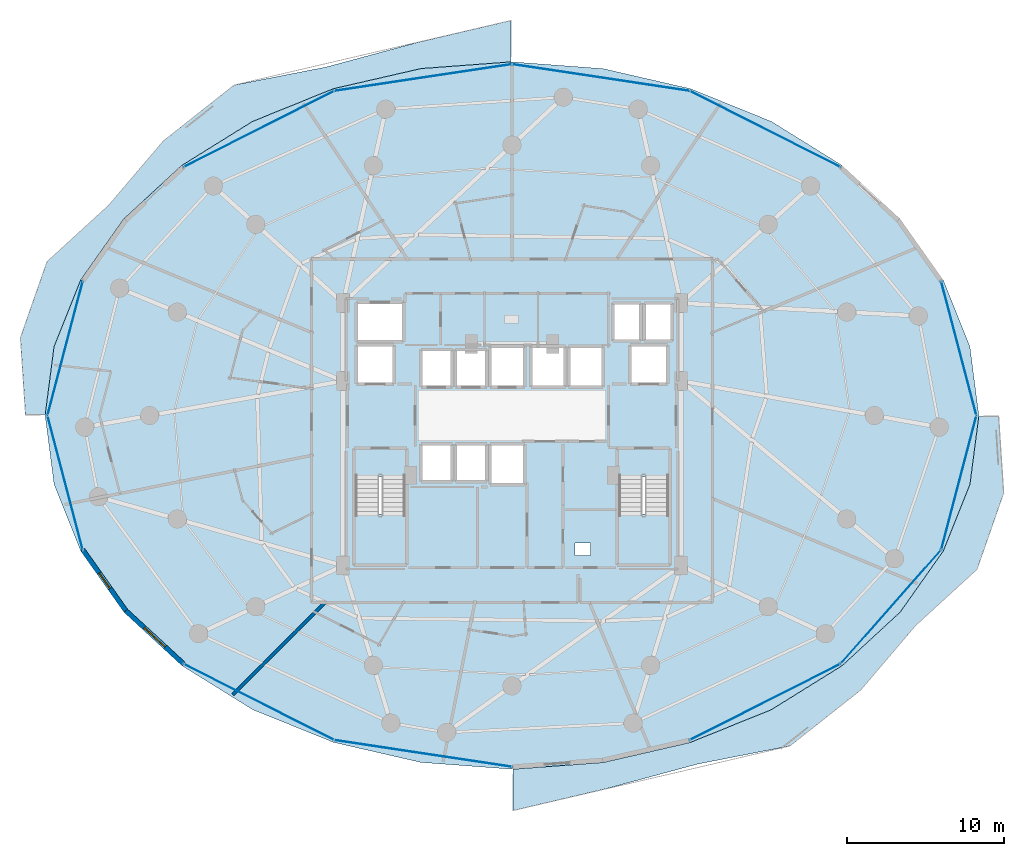
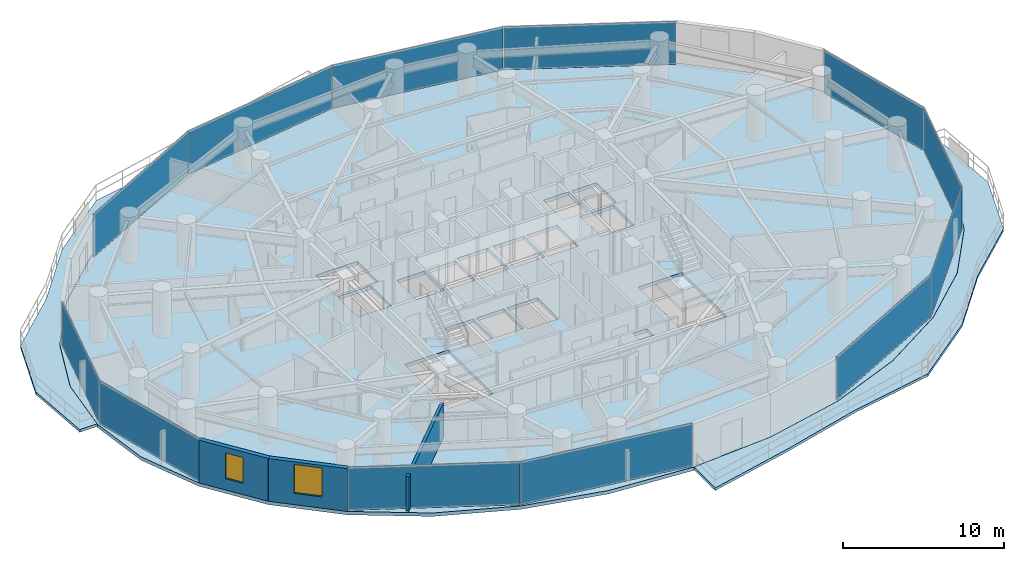
# One storey, part 26 of 35: 12 plates, 5 slabs, 3 walls, 2 windows, 2 openings, 6 elements without a shape of their own.
"""IFC4 building model written with IfcOpenShell, lengths in metres."""

from ifc_helpers import new_model, si_unit, direction, frame, frame_2d, origin, origin_2d, place, context, subcontext, project, spatial, polyline, rectangle, outline, extrude, material, layer, layer_set, type_object, element, fill, aggregate, save


model = new_model("IFC4")

# Units and contexts
model_context = context("Model", 3, precision=1e-05, world=origin(), true_north=direction((0.0, 1.0)))
body_context = subcontext(model_context, "Body", "Model", "MODEL_VIEW")
ifc_project = project(units=[si_unit("LENGTHUNIT", "METRE"), si_unit("AREAUNIT", "SQUARE_METRE"), si_unit("VOLUMEUNIT", "CUBIC_METRE"), si_unit("PLANEANGLEUNIT", "RADIAN"), si_unit("MASSUNIT", "GRAM", prefix="KILO")], contexts=[model_context])

# Site, building, storey
site_placement = place(None, origin())
site = spatial("IfcSite", under=ifc_project, at=site_placement, CompositionType="ELEMENT")
building_placement = place(site_placement, origin())
building = spatial("IfcBuilding", under=site, at=building_placement, Name="Vorneva Point Tower", CompositionType="ELEMENT")
storey_placement = place(building_placement, frame((0.0, 0.0, 48.5)))
storey = spatial("IfcBuildingStorey", under=building, at=storey_placement, Name="L12", CompositionType="ELEMENT", Elevation=48.5)

# Curtain wall, plates
ifc_material_1 = material(Name="Pale anodised aluminium", Category="aluminium")
curtain_wall_type = type_object("IfcCurtainWallType", Name="CW-HTL-SYS", PredefinedType="NOTDEFINED", material=ifc_material_1)
curtain_wall_1_placement = place(storey_placement, origin())
curtain_wall_1 = element("IfcCurtainWall", 1, at=curtain_wall_1_placement, inside=storey, type_object=curtain_wall_type, Name="L12 Unitised Curtain Wall CW-L12-R01", PredefinedType="NOTDEFINED")
ifc_material_2 = material(Name="Double low-e laminated glass IGU", Category="glass")
ifc_layer_1 = layer(ifc_material_2, 0.035888671875)
ifc_layer_set_1 = layer_set([ifc_layer_1], Name="Double low-e laminated glass IGU")
plate_type = type_object("IfcPlateType", Name="CW-PNL-VIS", PredefinedType="CURTAIN_PANEL", material=ifc_layer_set_1)
plate_1_placement = place(storey_placement, frame((54.101806640625, 7.773681640625, -0.02001953125), z_axis=(0.0, 0.0, 1.0), x_axis=(0.892499239729, 0.451048896554, 0.0)))
plate_1 = element("IfcPlate", 2, at=plate_1_placement, type_object=plate_type, Name="CW-L12-R01 Glazed Panel 01", PredefinedType="CURTAIN_PANEL", context=body_context, shape_type="SweptSolid", body=[
    extrude(rectangle(XDim=10.69140625, YDim=0.035888671875, at=origin_2d()), origin(), (0.0, 0.0, 1.0), 3.280029296875),
])
plate_2_placement = place(storey_placement, frame((62.097900390625, 13.821533203125, -0.02001953125), z_axis=(0.0, 0.0, 1.0), x_axis=(0.662070857019, 0.749441245386, 0.0)))
plate_2 = element("IfcPlate", 3, at=plate_2_placement, type_object=plate_type, Name="CW-L12-R01 Glazed Panel 02", PredefinedType="CURTAIN_PANEL", context=body_context, shape_type="SweptSolid", body=[
    extrude(rectangle(XDim=9.625, YDim=0.035888671875, at=origin_2d()), origin(), (0.0, 0.0, 1.0), 3.280029296875),
])
plate_3_placement = place(storey_placement, frame((66.42529296875, 21.723388671875, -0.02001953125), z_axis=(0.0, 0.0, 1.0), x_axis=(0.254348767449, 0.967112560407, 0.0)))
plate_3 = element("IfcPlate", 4, at=plate_3_placement, type_object=plate_type, Name="CW-L12-R01 Glazed Panel 03", PredefinedType="CURTAIN_PANEL", context=body_context, shape_type="SweptSolid", body=[
    extrude(rectangle(XDim=8.793701171875, YDim=0.035888671875, at=origin_2d()), origin(), (0.0, 0.0, 1.0), 3.280029296875),
])
plate_4_placement = place(storey_placement, frame((66.42529296875, 30.276611328125, -0.02001953125), z_axis=(0.0, 0.0, 1.0), x_axis=(-0.254348767449, 0.967112560407, 0.0)))
plate_4 = element("IfcPlate", 5, at=plate_4_placement, type_object=plate_type, Name="CW-L12-R01 Glazed Panel 04", PredefinedType="CURTAIN_PANEL", context=body_context, shape_type="SweptSolid", body=[
    extrude(rectangle(XDim=8.793701171875, YDim=0.035888671875, at=origin_2d()), origin(), (0.0, 0.0, 1.0), 3.280029296875),
])
aggregate(curtain_wall_1, [plate_1, plate_2, plate_3, plate_4])

curtain_wall_2_placement = place(storey_placement, origin())
curtain_wall_2 = element("IfcCurtainWall", 6, at=curtain_wall_2_placement, inside=storey, type_object=curtain_wall_type, Name="L12 Unitised Curtain Wall CW-L12-R02", PredefinedType="NOTDEFINED")
plate_5_placement = place(storey_placement, frame((54.101806640625, 44.226318359375, -0.02001953125), z_axis=(0.0, 0.0, 1.0), x_axis=(-0.892499239729, 0.451048896554, 0.0)))
plate_5 = element("IfcPlate", 7, at=plate_5_placement, type_object=plate_type, Name="CW-L12-R02 Glazed Panel 01", PredefinedType="CURTAIN_PANEL", context=body_context, shape_type="SweptSolid", body=[
    extrude(rectangle(XDim=10.69140625, YDim=0.035888671875, at=origin_2d()), origin(), (0.0, 0.0, 1.0), 3.280029296875),
])
plate_6_placement = place(storey_placement, frame((43.654296875, 47.499267578125, -0.02001953125), z_axis=(0.0, 0.0, 1.0), x_axis=(-0.988870924381, 0.148775989034, 0.0)))
plate_6 = element("IfcPlate", 8, at=plate_6_placement, type_object=plate_type, Name="CW-L12-R02 Glazed Panel 02", PredefinedType="CURTAIN_PANEL", context=body_context, shape_type="SweptSolid", body=[
    extrude(rectangle(XDim=11.385498046875, YDim=0.035888671875, at=origin_2d()), origin(), (0.0, 0.0, 1.0), 3.280029296875),
])
plate_7_placement = place(storey_placement, frame((32.345703125, 47.499267578125, -0.02001953125), z_axis=(0.0, 0.0, 1.0), x_axis=(-0.988870924381, -0.148775989034, 0.0)))
plate_7 = element("IfcPlate", 9, at=plate_7_placement, type_object=plate_type, Name="CW-L12-R02 Glazed Panel 03", PredefinedType="CURTAIN_PANEL", context=body_context, shape_type="SweptSolid", body=[
    extrude(rectangle(XDim=11.385498046875, YDim=0.035888671875, at=origin_2d()), origin(), (0.0, 0.0, 1.0), 3.280029296875),
])
plate_8_placement = place(storey_placement, frame((21.8984375, 44.226318359375, -0.02001953125), z_axis=(0.0, 0.0, 1.0), x_axis=(-0.892499239729, -0.451048896554, 0.0)))
plate_8 = element("IfcPlate", 10, at=plate_8_placement, type_object=plate_type, Name="CW-L12-R02 Glazed Panel 04", PredefinedType="CURTAIN_PANEL", context=body_context, shape_type="SweptSolid", body=[
    extrude(rectangle(XDim=10.69140625, YDim=0.035888671875, at=origin_2d()), origin(), (0.0, 0.0, 1.0), 3.280029296875),
])
aggregate(curtain_wall_2, [plate_5, plate_6, plate_7, plate_8])

curtain_wall_3_placement = place(storey_placement, origin())
curtain_wall_3 = element("IfcCurtainWall", 11, at=curtain_wall_3_placement, inside=storey, type_object=curtain_wall_type, Name="L12 Unitised Curtain Wall CW-L12-R03", PredefinedType="NOTDEFINED")
plate_9_placement = place(storey_placement, frame((9.57470703125, 30.276611328125, -0.02001953125), z_axis=(0.0, 0.0, 1.0), x_axis=(-0.254348767449, -0.967112560407, 0.0)))
plate_9 = element("IfcPlate", 12, at=plate_9_placement, type_object=plate_type, Name="CW-L12-R03 Glazed Panel 01", PredefinedType="CURTAIN_PANEL", context=body_context, shape_type="SweptSolid", body=[
    extrude(rectangle(XDim=8.793701171875, YDim=0.035888671875, at=origin_2d()), origin(), (0.0, 0.0, 1.0), 3.280029296875),
])
plate_10_placement = place(storey_placement, frame((9.57470703125, 21.723388671875, -0.02001953125), z_axis=(0.0, 0.0, 1.0), x_axis=(0.254348767449, -0.967112560407, 0.0)))
plate_10 = element("IfcPlate", 13, at=plate_10_placement, type_object=plate_type, Name="CW-L12-R03 Glazed Panel 02", PredefinedType="CURTAIN_PANEL", context=body_context, shape_type="SweptSolid", body=[
    extrude(rectangle(XDim=8.793701171875, YDim=0.035888671875, at=origin_2d()), origin(), (0.0, 0.0, 1.0), 3.280029296875),
])
aggregate(curtain_wall_3, [plate_9, plate_10])

curtain_wall_4_placement = place(storey_placement, origin())
curtain_wall_4 = element("IfcCurtainWall", 14, at=curtain_wall_4_placement, inside=storey, type_object=curtain_wall_type, Name="L12 Unitised Curtain Wall CW-L12-R04", PredefinedType="NOTDEFINED")
plate_11_placement = place(storey_placement, frame((21.8984375, 7.773681640625, -0.02001953125), z_axis=(0.0, 0.0, 1.0), x_axis=(0.892499239729, -0.451048896554, 0.0)))
plate_11 = element("IfcPlate", 15, at=plate_11_placement, type_object=plate_type, Name="CW-L12-R04 Glazed Panel 01", PredefinedType="CURTAIN_PANEL", context=body_context, shape_type="SweptSolid", body=[
    extrude(rectangle(XDim=10.69140625, YDim=0.035888671875, at=origin_2d()), origin(), (0.0, 0.0, 1.0), 3.280029296875),
])
plate_12_placement = place(storey_placement, frame((32.345703125, 4.500732421875, -0.02001953125), z_axis=(0.0, 0.0, 1.0), x_axis=(0.988870924381, -0.148775989034, 0.0)))
plate_12 = element("IfcPlate", 16, at=plate_12_placement, type_object=plate_type, Name="CW-L12-R04 Glazed Panel 02", PredefinedType="CURTAIN_PANEL", context=body_context, shape_type="SweptSolid", body=[
    extrude(rectangle(XDim=11.385498046875, YDim=0.035888671875, at=origin_2d()), origin(), (0.0, 0.0, 1.0), 3.280029296875),
])
aggregate(curtain_wall_4, [plate_11, plate_12])

# Slabs
ifc_material_3 = material(Name="Concrete B50 (C40/50)", Category="concrete")
ifc_layer_2 = layer(ifc_material_3, 0.199951171875)
ifc_layer_set_2 = layer_set([ifc_layer_2], Name="Concrete B50 (C40/50)")
slab_type_1 = type_object("IfcSlabType", Name="SLB-BAL-200", PredefinedType="FLOOR", material=ifc_layer_set_2)
slab_1_placement = place(storey_placement, frame((0.0, 0.0, -0.199951171875)))
element("IfcSlab", 17, at=slab_1_placement, inside=storey, type_object=slab_type_1, Name="L12 Cantilevered Wave Balcony NW", PredefinedType="FLOOR", context=body_context, shape_type="SweptSolid", body=[
    extrude(outline(polyline([(7.046630859375, 26.050048828125), (8.302490234375, 26.050048828125), (8.86669921875, 30.389892578125), (8.86669921875, 30.390380859375), (8.866943359375, 30.390625), (8.866943359375, 30.39111328125), (10.55712890625, 34.61181640625), (10.557373046875, 34.6123046875), (10.5576171875, 34.61279296875), (13.302001953125, 38.502685546875), (13.302490234375, 38.5029296875), (13.302734375, 38.503173828125), (16.99609375, 41.912841796875), (16.99658203125, 41.9130859375), (16.996826171875, 41.913330078125), (21.49755859375, 44.71142578125), (21.497802734375, 44.711669921875), (21.498046875, 44.7119140625), (26.6328125, 46.791015625), (26.633056640625, 46.791015625), (26.63330078125, 46.791259765625), (32.204833984375, 48.071533203125), (32.205078125, 48.07177734375), (32.20556640625, 48.07177734375), (37.949951171875, 48.500244140625), (37.949951171875, 51.13818359375), (31.955078125, 49.73095703125), (26.19873046875, 48.175537109375), (20.326904296875, 47.02490234375), (15.8212890625, 43.464111328125), (12.327880859375, 39.3623046875), (8.41552734375, 35.783203125), (6.7255859375, 30.952880859375), (7.046630859375, 26.050048828125)])), origin(), (0.0, 0.0, 1.0), 0.199951171875),
])
slab_2_placement = place(storey_placement, frame((0.0, 0.0, -0.199951171875)))
element("IfcSlab", 18, at=slab_2_placement, inside=storey, type_object=slab_type_1, Name="L12 Cantilevered Wave Balcony SE", PredefinedType="FLOOR", context=body_context, shape_type="SweptSolid", body=[
    extrude(outline(polyline([(69.2744140625, 21.047119140625), (68.953369140625, 25.949951171875), (67.697509765625, 25.949951171875), (67.13330078125, 21.610107421875), (67.13330078125, 21.609619140625), (67.133056640625, 21.609375), (67.133056640625, 21.60888671875), (65.44287109375, 17.38818359375), (65.442626953125, 17.3876953125), (65.4423828125, 17.38720703125), (62.697998046875, 13.497314453125), (62.697509765625, 13.4970703125), (62.697265625, 13.496826171875), (59.00390625, 10.087158203125), (59.00341796875, 10.0869140625), (59.003173828125, 10.086669921875), (54.50244140625, 7.28857421875), (54.502197265625, 7.288330078125), (54.501953125, 7.2880859375), (49.3671875, 5.208984375), (49.366943359375, 5.208984375), (49.36669921875, 5.208740234375), (43.795166015625, 3.928466796875), (43.794921875, 3.92822265625), (43.79443359375, 3.92822265625), (38.050048828125, 3.499755859375), (38.050048828125, 0.86181640625), (44.044921875, 2.26904296875), (49.80126953125, 3.824462890625), (55.673095703125, 4.97509765625), (60.1787109375, 8.535888671875), (63.672119140625, 12.6376953125), (67.58447265625, 16.216796875), (69.2744140625, 21.047119140625)])), origin(), (0.0, 0.0, 1.0), 0.199951171875),
])

# Stair, slab
stair_type = type_object("IfcStairType", Name="ST-DOG-1500", PredefinedType="HALF_TURN_STAIR", material=ifc_material_3)
stair_1_placement = place(storey_placement, origin())
stair_1 = element("IfcStair", 19, at=stair_1_placement, inside=storey, type_object=stair_type, Name="L12 ST1", PredefinedType="HALF_TURN_STAIR")
ifc_layer_3 = layer(ifc_material_3, 0.199951171875)
ifc_layer_set_3 = layer_set([ifc_layer_3], Name="Concrete B50 (C40/50)")
slab_type_2 = type_object("IfcSlabType", Name="SLB-LND-200", PredefinedType="LANDING", material=ifc_layer_set_3)
slab_3_placement = place(storey_placement, frame((0.0, 0.0, 1.550048828125)))
slab_3 = element("IfcSlab", 20, at=slab_3_placement, type_object=slab_type_2, Name="ST1 landing 1", PredefinedType="LANDING", context=body_context, shape_type="SweptSolid", body=[
    extrude(outline(polyline([(27.929931640625, 16.47998046875), (31.320068359375, 16.47998046875), (31.320068359375, 19.72998046875), (27.929931640625, 19.72998046875), (27.929931640625, 16.47998046875)])), origin(), (0.0, 0.0, 1.0), 0.199951171875),
])
aggregate(stair_1, [slab_3])

stair_2_placement = place(storey_placement, origin())
stair_2 = element("IfcStair", 21, at=stair_2_placement, inside=storey, type_object=stair_type, Name="L12 ST2", PredefinedType="HALF_TURN_STAIR")
slab_4_placement = place(storey_placement, frame((0.0, 0.0, 1.550048828125)))
slab_4 = element("IfcSlab", 22, at=slab_4_placement, type_object=slab_type_2, Name="ST2 landing 1", PredefinedType="LANDING", context=body_context, shape_type="SweptSolid", body=[
    extrude(outline(polyline([(44.679931640625, 16.47998046875), (48.070068359375, 16.47998046875), (48.070068359375, 19.72998046875), (44.679931640625, 19.72998046875), (44.679931640625, 16.47998046875)])), origin(), (0.0, 0.0, 1.0), 0.199951171875),
])
aggregate(stair_2, [slab_4])

# Slab
ifc_layer_4 = layer(ifc_material_3, 0.260009765625)
ifc_layer_set_4 = layer_set([ifc_layer_4], Name="Concrete B50 (C40/50)")
slab_type_3 = type_object("IfcSlabType", Name="SLB-TYP-260", PredefinedType="FLOOR", material=ifc_layer_set_4)
slab_5_placement = place(storey_placement, frame((0.0, 0.0, -0.260009765625)))
element("IfcSlab", 23, at=slab_5_placement, inside=storey, type_object=slab_type_3, Name="L12 Structural Floor Plate", PredefinedType="FLOOR", context=body_context, shape_type="SweptSolid", body=[
    extrude(outline(polyline([(67.699951171875, 26.0), (67.12939453125, 30.389404296875), (65.439208984375, 34.6103515625), (62.694580078125, 38.500244140625), (59.001220703125, 41.909912109375), (54.50048828125, 44.7080078125), (49.36572265625, 46.787353515625), (43.794189453125, 48.067626953125), (38.0, 48.5), (32.205810546875, 48.067626953125), (26.63427734375, 46.787353515625), (21.49951171875, 44.7080078125), (16.998779296875, 41.909912109375), (13.305419921875, 38.500244140625), (10.560791015625, 34.6103515625), (8.87060546875, 30.389404296875), (8.300048828125, 26.0), (8.87060546875, 21.610595703125), (10.560791015625, 17.3896484375), (13.305419921875, 13.499755859375), (16.998779296875, 10.090087890625), (21.49951171875, 7.2919921875), (26.63427734375, 5.212646484375), (32.205810546875, 3.932373046875), (38.0, 3.5), (43.794189453125, 3.932373046875), (49.36572265625, 5.212646484375), (54.50048828125, 7.2919921875), (59.001220703125, 10.090087890625), (62.694580078125, 13.499755859375), (65.439208984375, 17.3896484375), (67.12939453125, 21.610595703125), (67.699951171875, 26.0)]), holes=[polyline([(32.199951171875, 27.800048828125), (34.199951171875, 27.800048828125), (34.199951171875, 30.199951171875), (32.199951171875, 30.199951171875), (32.199951171875, 27.800048828125)]), polyline([(34.39990234375, 27.800048828125), (36.39990234375, 27.800048828125), (36.39990234375, 30.199951171875), (34.39990234375, 30.199951171875), (34.39990234375, 27.800048828125)]), polyline([(36.60009765625, 27.800048828125), (38.800048828125, 27.800048828125), (38.800048828125, 30.39990234375), (36.60009765625, 30.39990234375), (36.60009765625, 27.800048828125)]), polyline([(32.199951171875, 21.800048828125), (34.199951171875, 21.800048828125), (34.199951171875, 24.199951171875), (32.199951171875, 24.199951171875), (32.199951171875, 21.800048828125)]), polyline([(34.39990234375, 21.800048828125), (36.39990234375, 21.800048828125), (36.39990234375, 24.199951171875), (34.39990234375, 24.199951171875), (34.39990234375, 21.800048828125)]), polyline([(36.60009765625, 21.60009765625), (38.800048828125, 21.60009765625), (38.800048828125, 24.199951171875), (36.60009765625, 24.199951171875), (36.60009765625, 21.60009765625)]), polyline([(39.199951171875, 27.800048828125), (41.39990234375, 27.800048828125), (41.39990234375, 30.39990234375), (39.199951171875, 30.39990234375), (39.199951171875, 27.800048828125)]), polyline([(41.60009765625, 27.800048828125), (43.800048828125, 27.800048828125), (43.800048828125, 30.39990234375), (41.60009765625, 30.39990234375), (41.60009765625, 27.800048828125)]), polyline([(44.39990234375, 30.739990234375), (46.199951171875, 30.739990234375), (46.199951171875, 33.159912109375), (44.39990234375, 33.159912109375), (44.39990234375, 30.739990234375)]), polyline([(46.39990234375, 30.739990234375), (48.199951171875, 30.739990234375), (48.199951171875, 33.159912109375), (46.39990234375, 33.159912109375), (46.39990234375, 30.739990234375)]), polyline([(28.10009765625, 28.0), (30.5, 28.0), (30.5, 30.5), (28.10009765625, 30.5), (28.10009765625, 28.0)]), polyline([(45.5, 28.0), (47.89990234375, 28.0), (47.89990234375, 30.5), (45.5, 30.5), (45.5, 28.0)]), polyline([(28.10009765625, 30.699951171875), (31.10009765625, 30.699951171875), (31.10009765625, 33.199951171875), (28.10009765625, 33.199951171875), (28.10009765625, 30.699951171875)]), polyline([(28.050048828125, 16.60009765625), (31.199951171875, 16.60009765625), (31.199951171875, 22.080078125), (28.050048828125, 22.080078125), (28.050048828125, 16.60009765625)]), polyline([(44.800048828125, 16.60009765625), (47.949951171875, 16.60009765625), (47.949951171875, 22.080078125), (44.800048828125, 22.080078125), (44.800048828125, 16.60009765625)]), polyline([(42.0, 17.10009765625), (43.0, 17.10009765625), (43.0, 17.89990234375), (42.0, 17.89990234375), (42.0, 17.10009765625)])]), origin(), (0.0, 0.0, 1.0), 0.260009765625),
])

# Wall, opening, window
ifc_material_4 = material(Name="Precast concrete B50 (C40/50)", Category="concrete")
ifc_layer_5 = layer(ifc_material_4, 0.300048828125)
ifc_layer_set_5 = layer_set([ifc_layer_5], Name="Precast concrete B50 (C40/50)")
wall_type_1 = type_object("IfcWallType", Name="WL-EXT-300", PredefinedType="STANDARD", material=ifc_layer_set_5)
wall_1_placement = place(storey_placement, frame((10.699462890625, 17.447021484375, 0.0), z_axis=(0.0, 0.0, 1.0), x_axis=(0.577130815624, -0.816651713803, 0.0)))
wall_1 = element("IfcWall", 24, at=wall_1_placement, inside=storey, type_object=wall_type_1, Name="L12 Pale-Metal Facade Spandrel Wall 10.1", PredefinedType="STANDARD", context=body_context, shape_type="SweptSolid", body=[
    extrude(rectangle(XDim=4.7314453125, YDim=0.300048828125, at=frame_2d((2.36572265625, 0.0))), origin(), (0.0, 0.0, 1.0), 3.239990234375),
])
opening_1_placement = place(wall_1_placement, frame((1.79541015625, 0.0, 0.85009765625)))
opening_1 = element("IfcOpeningElement", 25, at=opening_1_placement, cuts=wall_1, Name="Opening W-04", PredefinedType="OPENING", context=body_context, shape_type="SweptSolid", body=[
    extrude(rectangle(XDim=1.199951171875, YDim=1.949951171875, at=frame_2d((0.60009765625, 0.97509765625))), frame((0.0, 0.1650390625, 0.0), z_axis=(0.0, -1.0, 0.0), x_axis=(1.0, 0.0, 0.0)), (0.0, 0.0, 1.0), 0.329833984375),
])
window_type_1 = type_object("IfcWindowType", Name="WN-RES-1200", PartitioningType="SINGLE_PANEL", PredefinedType="WINDOW", material=ifc_material_2)
window_1_placement = place(opening_1_placement, origin())
window_1 = element("IfcWindow", 26, at=window_1_placement, inside=storey, type_object=window_type_1, Name="L12 Dwelling Vision Window 01", OverallHeight=1.949951171875, OverallWidth=1.199951171875, PartitioningType="SINGLE_PANEL", PredefinedType="WINDOW", context=body_context, shape_type="SweptSolid", body=[
    extrude(rectangle(XDim=1.199951171875, YDim=1.949951171875, at=frame_2d((0.60009765625, 0.97509765625))), frame((0.0, 0.030029296875, 0.0), z_axis=(0.0, -1.0, 0.0), x_axis=(1.0, 0.0, 0.0)), (0.0, 0.0, 1.0), 0.06005859375),
])
fill(opening_1, window_1)

wall_2_placement = place(storey_placement, frame((13.43017578125, 13.5830078125, 0.0), z_axis=(0.0, 0.0, 1.0), x_axis=(0.735342629635, -0.677695519419, 0.0)))
wall_2 = element("IfcWall", 27, at=wall_2_placement, inside=storey, type_object=wall_type_1, Name="L12 Pale-Metal Facade Spandrel Wall 10.2", PredefinedType="STANDARD", context=body_context, shape_type="SweptSolid", body=[
    extrude(rectangle(XDim=4.997314453125, YDim=0.300048828125, at=frame_2d((2.49853515625, 0.0))), origin(), (0.0, 0.0, 1.0), 3.239990234375),
])
opening_2_placement = place(wall_2_placement, frame((1.598876953125, 0.0, 0.85009765625)))
opening_2 = element("IfcOpeningElement", 28, at=opening_2_placement, cuts=wall_2, Name="Opening W-01", PredefinedType="OPENING", context=body_context, shape_type="SweptSolid", body=[
    extrude(rectangle(XDim=1.800048828125, YDim=2.18994140625, at=frame_2d((0.89990234375, 1.094970703125))), frame((0.0, 0.1650390625, 0.0), z_axis=(0.0, -1.0, 0.0), x_axis=(1.0, 0.0, 0.0)), (0.0, 0.0, 1.0), 0.329833984375),
])
window_type_2 = type_object("IfcWindowType", Name="WN-LOG-1800", PartitioningType="SINGLE_PANEL", PredefinedType="WINDOW", material=ifc_material_2)
window_2_placement = place(opening_2_placement, origin())
window_2 = element("IfcWindow", 29, at=window_2_placement, inside=storey, type_object=window_type_2, Name="L12 Facade Window 10", OverallHeight=2.18994140625, OverallWidth=1.800048828125, PartitioningType="SINGLE_PANEL", PredefinedType="WINDOW", context=body_context, shape_type="SweptSolid", body=[
    extrude(rectangle(XDim=1.800048828125, YDim=2.18994140625, at=frame_2d((0.89990234375, 1.094970703125))), frame((0.0, 0.030029296875, 0.0), z_axis=(0.0, -1.0, 0.0), x_axis=(1.0, 0.0, 0.0)), (0.0, 0.0, 1.0), 0.06005859375),
])
fill(opening_2, window_2)

# Wall
ifc_material_5 = material(Name="Autoclaved aerated concrete blockwork", Category="masonry")
ifc_layer_6 = layer(ifc_material_5, 0.199951171875)
ifc_layer_set_6 = layer_set([ifc_layer_6], Name="Autoclaved aerated concrete blockwork")
wall_type_2 = type_object("IfcWallType", Name="WL-PART-200", PredefinedType="PARTITIONING", material=ifc_layer_set_6)
wall_3_placement = place(storey_placement, frame((20.2470703125, 8.2470703125, 0.0), z_axis=(0.0, 0.0, 1.0), x_axis=(0.707106781187, 0.707106781187, 0.0)))
element("IfcWall", 30, at=wall_3_placement, inside=storey, type_object=wall_type_2, Name="L12 Interior Partition 079", PredefinedType="PARTITIONING", context=body_context, shape_type="SweptSolid", body=[
    extrude(rectangle(XDim=8.27734375, YDim=0.199951171875, at=frame_2d((4.138671875, 0.0))), origin(), (0.0, 0.0, 1.0), 2.6240234375),
])

save(model, "model.ifc")
